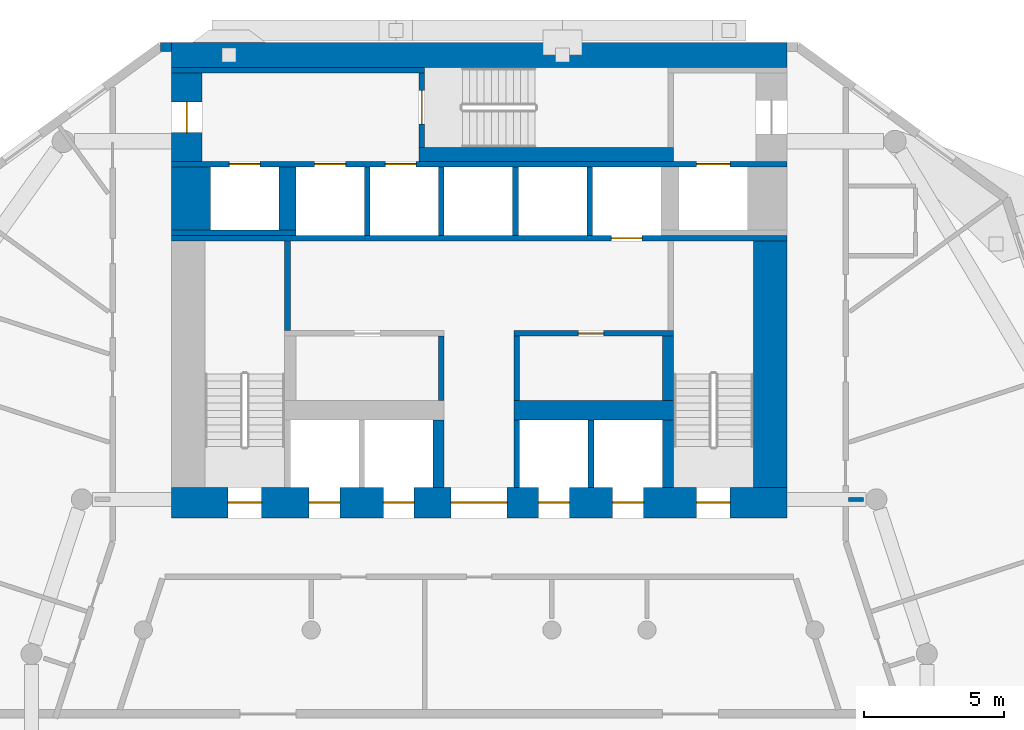
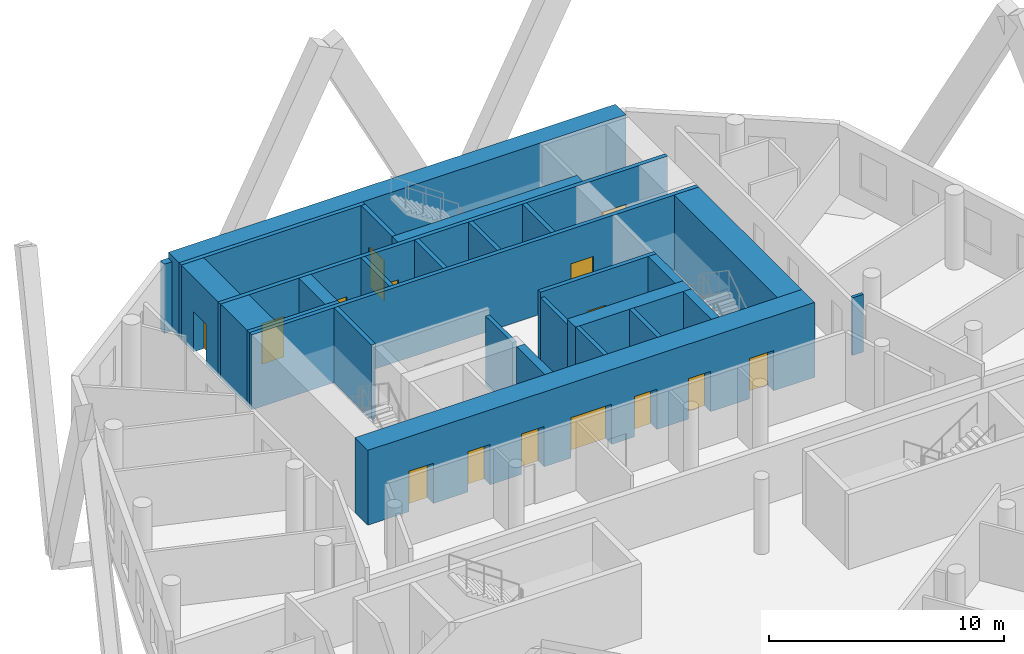
# One storey, part 6 of 10: 28 walls, 15 doors, 15 openings.
"""IFC4 building model written with IfcOpenShell, lengths in metres."""

import ifcopenshell
import ifcopenshell.guid

model = None  # the IFC model being written
_history = None  # IfcOwnerHistory: only IFC2X3 demands one
_inside = {}  # id of a spatial element -> (the spatial element, [elements in it])
_under = {}  # id of a project, library or spatial element -> (it, [spatial elements below it])
_declared = {}  # id of a project -> (the project, [libraries it declares])
_typed = {}  # id of a type object -> (the type object, [elements of that type])
_made_of = {}  # id of a material, layer set ... -> (it, [elements and type objects made of it])


def new_model(schema):
    """Start an empty IFC model of exactly this schema.

    Asked for "IFC4X3", IfcOpenShell would pick the latest addendum, in which some entities
    have other attributes; the version numbers below select the first issue.
    IFC2X3 requires an IfcOwnerHistory on every rooted entity: one is made here for all.
    """
    global model, _history
    if schema == "IFC4X3":
        model = ifcopenshell.file(schema_version=(4, 3, 0, 0))
    else:
        model = ifcopenshell.file(schema=schema)
    _inside.clear()
    _under.clear()
    _declared.clear()
    _typed.clear()
    _made_of.clear()
    _history = None
    if model.schema == "IFC2X3":
        org = make("IfcOrganization", Name="unknown")
        user = make(
            "IfcPersonAndOrganization",
            ThePerson=make("IfcPerson", FamilyName="unknown"),
            TheOrganization=org,
        )
        app = make(
            "IfcApplication",
            ApplicationDeveloper=org,
            Version="unknown",
            ApplicationFullName="unknown",
            ApplicationIdentifier="unknown",
        )
        _history = make(
            "IfcOwnerHistory",
            OwningUser=user,
            OwningApplication=app,
            ChangeAction="ADDED",
            CreationDate=0,
        )
    return model


def make(cls, **values):
    """One entity of the class cls with the attributes given. An attribute that is None is left unset."""
    return model.create_entity(
        cls, **{name: value for name, value in values.items() if value is not None}
    )


def rooted(cls, **values):
    """An entity with a GlobalId (a new one), such as an element, a storey or a relation."""
    return make(cls, GlobalId=ifcopenshell.guid.new(), OwnerHistory=_history, **values)


def si_unit(unit_type, name, prefix=None):
    """IfcSIUnit, for example si_unit("LENGTHUNIT", "METRE", prefix="MILLI")."""
    return make("IfcSIUnit", UnitType=unit_type, Prefix=prefix, Name=name)


def assignment(units):
    """IfcUnitAssignment: the units of a project."""
    return None if units is None else make("IfcUnitAssignment", Units=units)


def point(xyz):
    """IfcCartesianPoint."""
    return None if xyz is None else make("IfcCartesianPoint", Coordinates=xyz)


def direction(xyz):
    """IfcDirection."""
    return None if xyz is None else make("IfcDirection", DirectionRatios=xyz)


def frame(location, z_axis=None, x_axis=None):
    """IfcAxis2Placement3D, a coordinate frame: its origin and axes. An axis left out is left unset."""
    return make(
        "IfcAxis2Placement3D",
        Location=point(location),
        Axis=direction(z_axis),
        RefDirection=direction(x_axis),
    )


def frame_2d(location, x_axis=None):
    """IfcAxis2Placement2D, a coordinate frame in the plane: its origin and x axis."""
    return make(
        "IfcAxis2Placement2D", Location=point(location), RefDirection=direction(x_axis)
    )


def origin():
    """The frame at (0, 0, 0) with its axes left unset."""
    return frame((0.0, 0.0, 0.0))


def place(relative_to, where):
    """IfcLocalPlacement: puts the frame where relative to a parent placement (None: the world)."""
    return make(
        "IfcLocalPlacement", PlacementRelTo=relative_to, RelativePlacement=where
    )


def context(
    kind, dimensions, precision=None, world=None, true_north=None, identifier=None
):
    """IfcGeometricRepresentationContext, for example the 3D "Model" context."""
    return make(
        "IfcGeometricRepresentationContext",
        ContextIdentifier=identifier,
        ContextType=kind,
        CoordinateSpaceDimension=dimensions,
        Precision=precision,
        WorldCoordinateSystem=world,
        TrueNorth=true_north,
    )


def subcontext(parent, identifier, kind, view, scale=None):
    """IfcGeometricRepresentationSubContext, for example "Body" below "Model"."""
    return make(
        "IfcGeometricRepresentationSubContext",
        ContextIdentifier=identifier,
        ContextType=kind,
        ParentContext=parent,
        TargetScale=scale,
        TargetView=view,
    )


def project(units=None, contexts=None):
    """IfcProject with its units and contexts."""
    return rooted(
        "IfcProject",
        Name="project",
        RepresentationContexts=contexts,
        UnitsInContext=assignment(units),
    )


def spatial(cls, under=None, at=None, **own):
    """A site, building, storey or space (cls), placed at a placement, below another one or the project."""
    s = rooted(cls, ObjectPlacement=at, **own)
    if under is not None:
        _under.setdefault(under.id(), (under, []))[1].append(s)
    return s


def profile(cls, at=None, kind="AREA", **sizes):
    """A parametric profile (cls). Its sizes go by their IFC names, for example OverallWidth=200.0."""
    return make(cls, ProfileType=kind, Position=at, **sizes)


def rectangle(**sizes):
    """IfcRectangleProfileDef."""
    return profile("IfcRectangleProfileDef", **sizes)


def extrude(swept, where, along, depth):
    """IfcExtrudedAreaSolid: the profile swept, set in the frame where, extruded along a direction by depth."""
    return make(
        "IfcExtrudedAreaSolid",
        SweptArea=swept,
        Position=where,
        ExtrudedDirection=direction(along),
        Depth=depth,
    )


def shape(context_of_items, identifier, shape_type, items):
    """IfcShapeRepresentation: the items that make up one representation, for example the "Body"."""
    return make(
        "IfcShapeRepresentation",
        ContextOfItems=context_of_items,
        RepresentationIdentifier=identifier,
        RepresentationType=shape_type,
        Items=items,
    )


def material(Name=None, Category=None):
    """IfcMaterial."""
    return make("IfcMaterial", Name=Name, Category=Category)


def layer(
    of_material, thickness, ventilated=None, Name=None, Category=None, Priority=None
):
    """IfcMaterialLayer: one layer of a wall or slab, of a material (None: an air gap)."""
    return make(
        "IfcMaterialLayer",
        Material=of_material,
        LayerThickness=thickness,
        IsVentilated=ventilated,
        Name=Name,
        Category=Category,
        Priority=Priority,
    )


def layer_set(layers, Name=None):
    """IfcMaterialLayerSet."""
    return make("IfcMaterialLayerSet", MaterialLayers=layers, LayerSetName=Name)


def made_of(thing, what):
    """Note that an element or type object is made of a material, layer set ...; save() writes the relation."""
    if what is not None:
        _made_of.setdefault(what.id(), (what, []))[1].append(thing)
    return thing


def type_object(cls, material=None, **own):
    """A type object (cls), such as IfcWallType, which elements share."""
    return made_of(rooted(cls, **own), material)


def element(
    cls,
    number,
    at=None,
    inside=None,
    cuts=None,
    type_object=None,
    material=None,
    context=None,
    identifier="Body",
    shape_type=None,
    held_by="IfcProductDefinitionShape",
    body=None,
    shapes=None,
    **own,
):
    """One element of the class cls, such as IfcWall. Its Tag is "e" and its number.

    at: its placement. inside: the storey or other place that contains it. cuts: it is an
    opening in that element (IfcRelVoidsElement). A single representation is given by context,
    identifier, shape_type and body (its items); several are given by shapes. held_by: the class
    of the entity that holds the representations. save() writes the other relations.
    """
    e = rooted(cls, Tag="e%d" % number, ObjectPlacement=at, **own)
    if body is not None:
        shapes = [shape(context, identifier, shape_type, body)]
    if shapes is not None:
        e.Representation = make(held_by, Representations=shapes)
    if inside is not None:
        _inside.setdefault(inside.id(), (inside, []))[1].append(e)
    if cuts is not None:
        rooted(
            "IfcRelVoidsElement", RelatingBuildingElement=cuts, RelatedOpeningElement=e
        )
    if type_object is not None:
        _typed.setdefault(type_object.id(), (type_object, []))[1].append(e)
    return made_of(e, material)


def fill(opening, filler):
    """IfcRelFillsElement: the door or window that sits in an opening."""
    return rooted(
        "IfcRelFillsElement",
        RelatingOpeningElement=opening,
        RelatedBuildingElement=filler,
    )


def aggregate(whole, parts):
    """IfcRelAggregates: a whole, such as a stair, and the parts it consists of."""
    return rooted("IfcRelAggregates", RelatingObject=whole, RelatedObjects=parts)


def save(model, path):
    """Write the relations noted so far, then the file.

    IfcRelAggregates (storeys below a building ...), IfcRelContainedInSpatialStructure (elements
    in a storey), IfcRelDefinesByType, IfcRelAssociatesMaterial and IfcRelDeclares: one each for
    every whole, place, type object, material and project.
    """
    for whole, parts in _under.values():
        aggregate(whole, parts)
    for where, things in _inside.values():
        rooted(
            "IfcRelContainedInSpatialStructure",
            RelatedElements=things,
            RelatingStructure=where,
        )
    for kind, things in _typed.values():
        rooted("IfcRelDefinesByType", RelatedObjects=things, RelatingType=kind)
    for what, things in _made_of.values():
        rooted("IfcRelAssociatesMaterial", RelatedObjects=things, RelatingMaterial=what)
    for by, libraries in _declared.values():
        rooted("IfcRelDeclares", RelatingContext=by, RelatedDefinitions=libraries)
    model.write(path)


model = new_model("IFC4")

# Units and contexts
model_context = context("Model", 3, precision=1e-05, world=origin(), true_north=direction((0.0, 1.0)))
body_context = subcontext(model_context, "Body", "Model", "MODEL_VIEW")
ifc_project = project(units=[si_unit("LENGTHUNIT", "METRE"), si_unit("AREAUNIT", "SQUARE_METRE"), si_unit("VOLUMEUNIT", "CUBIC_METRE"), si_unit("PLANEANGLEUNIT", "RADIAN"), si_unit("MASSUNIT", "GRAM", prefix="KILO")], contexts=[model_context])

# Site, building, storey
site_placement = place(None, origin())
site = spatial("IfcSite", under=ifc_project, at=site_placement, CompositionType="ELEMENT")
building_placement = place(site_placement, origin())
building = spatial("IfcBuilding", under=site, at=building_placement, Name="White Candle Pilgrim Tower", CompositionType="ELEMENT")
storey_placement = place(building_placement, frame((0.0, 0.0, 102.5)))
storey = spatial("IfcBuildingStorey", under=building, at=storey_placement, Name="L22", CompositionType="ELEMENT", Elevation=102.5)

# Wall, opening, door
ifc_material_1 = material(Name="Concrete C60/75", Category="concrete")
ifc_layer_1 = layer(ifc_material_1, 1.10009765625)
ifc_layer_set_1 = layer_set([ifc_layer_1], Name="Core wall 1100 mm Concrete C60/75")
wall_type_1 = type_object("IfcWallType", Name="Core wall 1100 mm Concrete C60/75", PredefinedType="SHEAR", material=ifc_layer_set_1)
wall_1_placement = place(storey_placement, frame((59.550048828125, 83.75, 0.0), z_axis=(0.0, 0.0, 1.0), x_axis=(0.0, 1.0, 0.0)))
wall_1 = element("IfcWall", 1, at=wall_1_placement, inside=storey, type_object=wall_type_1, Name="WL-L22-C42", PredefinedType="SHEAR", context=body_context, shape_type="SweptSolid", body=[
    extrude(rectangle(XDim=3.14990234375, YDim=1.10009765625, at=frame_2d((1.574951171875, 0.0))), origin(), (0.0, 0.0, 1.0), 3.89990234375),
])
opening_1_placement = place(wall_1_placement, frame((1.02490234375, 0.0, 0.0)))
opening_1 = element("IfcOpeningElement", 2, at=opening_1_placement, cuts=wall_1, Name="Opening T07-005", PredefinedType="OPENING", context=body_context, shape_type="SweptSolid", body=[
    extrude(rectangle(XDim=1.10009765625, YDim=2.10009765625, at=frame_2d((0.550048828125, 1.050048828125))), frame((0.0, 0.56005859375, 0.0), z_axis=(0.0, -1.0, 0.0), x_axis=(1.0, 0.0, 0.0)), (0.0, 0.0, 1.0), 1.1201171875),
])
ifc_material_2 = material(Name="Steel door leaf", Category="steel")
door_type_1 = type_object("IfcDoorType", Name="Fire door 1100 x 2100 EI 60", OperationType="NOTDEFINED", PredefinedType="DOOR", material=ifc_material_2)
door_1_placement = place(opening_1_placement, origin())
door_1 = element("IfcDoor", 3, at=door_1_placement, inside=storey, type_object=door_type_1, Name="Door T07-005", OperationType="SINGLE_SWING_LEFT", OverallHeight=2.10009765625, OverallWidth=1.10009765625, PredefinedType="DOOR", context=body_context, shape_type="SweptSolid", body=[
    extrude(rectangle(XDim=1.10009765625, YDim=2.10009765625, at=frame_2d((0.550048828125, 1.050048828125))), frame((0.0, 0.02490234375, 0.0), z_axis=(0.0, -1.0, 0.0), x_axis=(1.0, 0.0, 0.0)), (0.0, 0.0, 1.0), 0.050048828125),
])
fill(opening_1, door_1)

# Walls
ifc_layer_2 = layer(ifc_material_1, 1.39990234375)
ifc_layer_set_2 = layer_set([ifc_layer_2], Name="Core wall 1400 mm Concrete C60/75")
wall_type_2 = type_object("IfcWallType", Name="Core wall 1400 mm Concrete C60/75", PredefinedType="SHEAR", material=ifc_layer_set_2)
wall_2_placement = place(storey_placement, frame((59.699951171875, 81.300048828125, 0.0), z_axis=(0.0, 0.0, 1.0), x_axis=(0.0, 1.0, 0.0)))
element("IfcWall", 4, at=wall_2_placement, inside=storey, type_object=wall_type_2, Name="WL-L22-C37", PredefinedType="SHEAR", context=body_context, shape_type="SweptSolid", body=[
    extrude(rectangle(XDim=2.25, YDim=1.39990234375, at=frame_2d((1.125, 0.0))), origin(), (0.0, 0.0, 1.0), 3.89990234375),
])
ifc_layer_3 = layer(ifc_material_1, 0.199951171875)
ifc_layer_set_3 = layer_set([ifc_layer_3], Name="Core wall 200 mm Concrete C60/75")
wall_type_3 = type_object("IfcWallType", Name="Core wall 200 mm Concrete C60/75", PredefinedType="SHEAR", material=ifc_layer_set_3)
wall_3_placement = place(storey_placement, frame((59.0, 81.199951171875, 0.0), z_axis=(0.0, 0.0, 1.0), x_axis=(1.0, 0.0, 0.0)))
element("IfcWall", 5, at=wall_3_placement, inside=storey, type_object=wall_type_3, Name="WL-L22-C31", PredefinedType="SHEAR", context=body_context, shape_type="SweptSolid", body=[
    extrude(rectangle(XDim=4.449951171875, YDim=0.199951171875, at=frame_2d((2.22509765625, 0.0))), origin(), (0.0, 0.0, 1.0), 3.89990234375),
])

# Wall, openings, doors
wall_4_placement = place(storey_placement, frame((59.0, 83.64990234375, 0.0), z_axis=(0.0, 0.0, 1.0), x_axis=(1.0, 0.0, 0.0)))
wall_4 = element("IfcWall", 6, at=wall_4_placement, inside=storey, type_object=wall_type_3, Name="WL-L22-C41", PredefinedType="SHEAR", context=body_context, shape_type="SweptSolid", body=[
    extrude(rectangle(XDim=22.0, YDim=0.199951171875, at=frame_2d((11.0, 0.0))), origin(), (0.0, 0.0, 1.0), 3.89990234375),
])
opening_2_placement = place(wall_4_placement, frame((5.125, 0.0, 0.0)))
opening_2 = element("IfcOpeningElement", 7, at=opening_2_placement, cuts=wall_4, Name="Opening T07-011", PredefinedType="OPENING", context=body_context, shape_type="SweptSolid", body=[
    extrude(rectangle(XDim=1.10009765625, YDim=2.10009765625, at=frame_2d((0.550048828125, 1.050048828125))), frame((0.0, 0.10986328125, 0.0), z_axis=(0.0, -1.0, 0.0), x_axis=(1.0, 0.0, 0.0)), (0.0, 0.0, 1.0), 0.219970703125),
])
opening_3_placement = place(wall_4_placement, frame((7.64990234375, 0.0, 0.0)))
opening_3 = element("IfcOpeningElement", 8, at=opening_3_placement, cuts=wall_4, Name="Opening T07-012", PredefinedType="OPENING", context=body_context, shape_type="SweptSolid", body=[
    extrude(rectangle(XDim=1.10009765625, YDim=2.10009765625, at=frame_2d((0.550048828125, 1.050048828125))), frame((0.0, 0.10986328125, 0.0), z_axis=(0.0, -1.0, 0.0), x_axis=(1.0, 0.0, 0.0)), (0.0, 0.0, 1.0), 0.219970703125),
])
opening_4_placement = place(wall_4_placement, frame((18.77490234375, 0.0, 0.0)))
opening_4 = element("IfcOpeningElement", 9, at=opening_4_placement, cuts=wall_4, Name="Opening T07-018", PredefinedType="OPENING", context=body_context, shape_type="SweptSolid", body=[
    extrude(rectangle(XDim=1.199951171875, YDim=2.10009765625, at=frame_2d((0.60009765625, 1.050048828125))), frame((0.0, 0.10986328125, 0.0), z_axis=(0.0, -1.0, 0.0), x_axis=(1.0, 0.0, 0.0)), (0.0, 0.0, 1.0), 0.219970703125),
])
opening_5_placement = place(wall_4_placement, frame((2.074951171875, 0.0, 0.0)))
opening_5 = element("IfcOpeningElement", 10, at=opening_5_placement, cuts=wall_4, Name="Opening T07-019", PredefinedType="OPENING", context=body_context, shape_type="SweptSolid", body=[
    extrude(rectangle(XDim=1.10009765625, YDim=2.10009765625, at=frame_2d((0.550048828125, 1.050048828125))), frame((0.0, 0.10986328125, 0.0), z_axis=(0.0, -1.0, 0.0), x_axis=(1.0, 0.0, 0.0)), (0.0, 0.0, 1.0), 0.219970703125),
])
ifc_material_3 = material(Name="Stainless steel", Category="steel")
door_type_2 = type_object("IfcDoorType", Name="Lift landing door 1100 x 2100 EI 60", OperationType="DOUBLE_DOOR_SLIDING", PredefinedType="DOOR", material=ifc_material_3)
door_2_placement = place(opening_2_placement, origin())
door_2 = element("IfcDoor", 11, at=door_2_placement, inside=storey, type_object=door_type_2, Name="Door T07-011", OperationType="DOUBLE_DOOR_SLIDING", OverallHeight=2.10009765625, OverallWidth=1.10009765625, PredefinedType="DOOR", context=body_context, shape_type="SweptSolid", body=[
    extrude(rectangle(XDim=1.10009765625, YDim=2.10009765625, at=frame_2d((0.550048828125, 1.050048828125))), frame((0.0, 0.02490234375, 0.0), z_axis=(0.0, -1.0, 0.0), x_axis=(1.0, 0.0, 0.0)), (0.0, 0.0, 1.0), 0.050048828125),
])
fill(opening_2, door_2)
door_3_placement = place(opening_3_placement, origin())
door_3 = element("IfcDoor", 12, at=door_3_placement, inside=storey, type_object=door_type_2, Name="Door T07-012", OperationType="DOUBLE_DOOR_SLIDING", OverallHeight=2.10009765625, OverallWidth=1.10009765625, PredefinedType="DOOR", context=body_context, shape_type="SweptSolid", body=[
    extrude(rectangle(XDim=1.10009765625, YDim=2.10009765625, at=frame_2d((0.550048828125, 1.050048828125))), frame((0.0, 0.02490234375, 0.0), z_axis=(0.0, -1.0, 0.0), x_axis=(1.0, 0.0, 0.0)), (0.0, 0.0, 1.0), 0.050048828125),
])
fill(opening_3, door_3)
door_4_placement = place(opening_5_placement, origin())
door_4 = element("IfcDoor", 13, at=door_4_placement, inside=storey, type_object=door_type_2, Name="Door T07-019", OperationType="DOUBLE_DOOR_SLIDING", OverallHeight=2.10009765625, OverallWidth=1.10009765625, PredefinedType="DOOR", context=body_context, shape_type="SweptSolid", body=[
    extrude(rectangle(XDim=1.10009765625, YDim=2.10009765625, at=frame_2d((0.550048828125, 1.050048828125))), frame((0.0, 0.02490234375, 0.0), z_axis=(0.0, -1.0, 0.0), x_axis=(1.0, 0.0, 0.0)), (0.0, 0.0, 1.0), 0.050048828125),
])
fill(opening_5, door_4)
door_type_3 = type_object("IfcDoorType", Name="Lift landing door 1200 x 2100 E 60", OperationType="DOUBLE_DOOR_SLIDING", PredefinedType="DOOR", material=ifc_material_3)
door_5_placement = place(opening_4_placement, origin())
door_5 = element("IfcDoor", 14, at=door_5_placement, inside=storey, type_object=door_type_3, Name="Door T07-018", OperationType="DOUBLE_DOOR_SLIDING", OverallHeight=2.10009765625, OverallWidth=1.199951171875, PredefinedType="DOOR", context=body_context, shape_type="SweptSolid", body=[
    extrude(rectangle(XDim=1.199951171875, YDim=2.10009765625, at=frame_2d((0.60009765625, 1.050048828125))), frame((0.0, 0.02490234375, 0.0), z_axis=(0.0, -1.0, 0.0), x_axis=(1.0, 0.0, 0.0)), (0.0, 0.0, 1.0), 0.050048828125),
])
fill(opening_4, door_5)

# Walls
ifc_material_4 = material(Name="Precast concrete C40/50", Category="concrete")
ifc_layer_4 = layer(ifc_material_4, 0.320068359375)
ifc_layer_set_4 = layer_set([ifc_layer_4], Name="Facade wall EW1 precast concrete C40/50 pier wall with timber-lined reveals")
wall_type_4 = type_object("IfcWallType", Name="Facade wall EW1 precast concrete C40/50 pier wall with timber-lined reveals", PredefinedType="SOLIDWALL", material=ifc_layer_set_4)
wall_5_placement = place(storey_placement, frame((59.0, 87.840087890625, 0.0), z_axis=(0.0, 0.0, 1.0), x_axis=(-1.0, 0.0, 0.0)))
element("IfcWall", 15, at=wall_5_placement, inside=storey, type_object=wall_type_4, Name="Facade wall L22 N", PredefinedType="SOLIDWALL", context=body_context, shape_type="SweptSolid", body=[
    extrude(rectangle(XDim=0.385009765625, YDim=0.320068359375, at=frame_2d((0.1923828125, 0.0))), origin(), (0.0, 0.0, 1.0), 3.60009765625),
])
ifc_material_5 = material(Name="Gypsum board on steel studs", Category="steel")
ifc_layer_5 = layer(ifc_material_5, 0.199951171875)
ifc_layer_set_5 = layer_set([ifc_layer_5], Name="Lobby wall 200 mm EI 60")
wall_type_5 = type_object("IfcWallType", Name="Lobby wall 200 mm EI 60", PredefinedType="PARTITIONING", material=ifc_layer_set_5)
for number, where, z_axis, x_axis, name in (
    (16, (68.64990234375, 75.199951171875, 0.0), (0.0, 0.0, 1.0), (0.0, 1.0, 0.0), "WL-L22-C23"),
    (17, (71.35009765625, 75.199951171875, 0.0), (0.0, 0.0, 1.0), (0.0, 1.0, 0.0), "WL-L22-C24"),
):
    element("IfcWall", number, at=place(storey_placement, frame(where, z_axis=z_axis, x_axis=x_axis)), inside=storey, type_object=wall_type_5, Name=name, PredefinedType="PARTITIONING", context=body_context, shape_type="SweptSolid", body=[
        extrude(rectangle(XDim=2.300048828125, YDim=0.199951171875, at=frame_2d((1.14990234375, 0.0))), origin(), (0.0, 0.0, 1.0), 3.60009765625),
    ])
ifc_layer_6 = layer(ifc_material_5, 0.14990234375)
ifc_layer_set_6 = layer_set([ifc_layer_6], Name="Partition 150 mm EI 60")
wall_type_6 = type_object("IfcWallType", Name="Partition 150 mm EI 60", PredefinedType="PARTITIONING", material=ifc_layer_set_6)
wall_6_placement = place(storey_placement, frame((83.735107421875, 71.667724609375, 0.0), z_axis=(0.0, 0.0, 1.0), x_axis=(-1.0, 0.0, 0.0)))
element("IfcWall", 18, at=wall_6_placement, inside=storey, type_object=wall_type_6, Name="WL-L22-P050", PredefinedType="PARTITIONING", context=body_context, shape_type="SweptSolid", body=[
    extrude(rectangle(XDim=0.53515625, YDim=0.14990234375, at=frame_2d((0.267578125, 0.0))), origin(), (0.0, 0.0, 1.0), 3.0),
])
ifc_layer_7 = layer(ifc_material_1, 0.199951171875)
ifc_layer_set_7 = layer_set([ifc_layer_7], Name="Shaft wall 200 mm Concrete C60/75")
wall_type_7 = type_object("IfcWallType", Name="Shaft wall 200 mm Concrete C60/75", PredefinedType="SHEAR", material=ifc_layer_set_7)
for number, where, z_axis, x_axis, name in (
    (19, (71.35009765625, 72.10009765625, 0.0), (0.0, 0.0, 1.0), (0.0, 1.0, 0.0), "WL-L22-C16"),
    (20, (74.0, 72.10009765625, 0.0), (0.0, 0.0, 1.0), (0.0, 1.0, 0.0), "WL-L22-C17"),
):
    element("IfcWall", number, at=place(storey_placement, frame(where, z_axis=z_axis, x_axis=x_axis)), inside=storey, type_object=wall_type_7, Name=name, PredefinedType="SHEAR", context=body_context, shape_type="SweptSolid", body=[
        extrude(rectangle(XDim=2.39990234375, YDim=0.199951171875, at=frame_2d((1.199951171875, 0.0))), origin(), (0.0, 0.0, 1.0), 3.89990234375),
    ])
for number, where, z_axis, x_axis, name in (
    (21, (66.0, 81.10009765625, 0.0), (0.0, 0.0, 1.0), (0.0, 1.0, 0.0), "WL-L22-C32"),
    (22, (68.64990234375, 81.10009765625, 0.0), (0.0, 0.0, 1.0), (0.0, 1.0, 0.0), "WL-L22-C33"),
    (23, (71.300048828125, 81.10009765625, 0.0), (0.0, 0.0, 1.0), (0.0, 1.0, 0.0), "WL-L22-C34"),
    (24, (73.949951171875, 81.10009765625, 0.0), (0.0, 0.0, 1.0), (0.0, 1.0, 0.0), "WL-L22-C35"),
):
    element("IfcWall", number, at=place(storey_placement, frame(where, z_axis=z_axis, x_axis=x_axis)), inside=storey, type_object=wall_type_7, Name=name, PredefinedType="SHEAR", context=body_context, shape_type="SweptSolid", body=[
        extrude(rectangle(XDim=2.449951171875, YDim=0.199951171875, at=frame_2d((1.22509765625, 0.0))), origin(), (0.0, 0.0, 1.0), 3.89990234375),
    ])
ifc_layer_8 = layer(ifc_material_1, 0.39990234375)
ifc_layer_set_8 = layer_set([ifc_layer_8], Name="Shaft wall 400 mm Concrete C60/75")
wall_type_8 = type_object("IfcWallType", Name="Shaft wall 400 mm Concrete C60/75", PredefinedType="SHEAR", material=ifc_layer_set_8)
wall_7_placement = place(storey_placement, frame((68.550048828125, 72.10009765625, 0.0), z_axis=(0.0, 0.0, 1.0), x_axis=(0.0, 1.0, 0.0)))
element("IfcWall", 25, at=wall_7_placement, inside=storey, type_object=wall_type_8, Name="WL-L22-C15", PredefinedType="SHEAR", context=body_context, shape_type="SweptSolid", body=[
    extrude(rectangle(XDim=2.39990234375, YDim=0.39990234375, at=frame_2d((1.199951171875, 0.0))), origin(), (0.0, 0.0, 1.0), 3.89990234375),
])
ifc_layer_9 = layer(ifc_material_1, 0.60009765625)
ifc_layer_set_9 = layer_set([ifc_layer_9], Name="Shaft wall 600 mm Concrete C60/75")
wall_type_9 = type_object("IfcWallType", Name="Shaft wall 600 mm Concrete C60/75", PredefinedType="SHEAR", material=ifc_layer_set_9)
wall_8_placement = place(storey_placement, frame((63.14990234375, 81.300048828125, 0.0), z_axis=(0.0, 0.0, 1.0), x_axis=(0.0, 1.0, 0.0)))
element("IfcWall", 26, at=wall_8_placement, inside=storey, type_object=wall_type_9, Name="WL-L22-C38", PredefinedType="SHEAR", context=body_context, shape_type="SweptSolid", body=[
    extrude(rectangle(XDim=2.25, YDim=0.60009765625, at=frame_2d((1.125, 0.0))), origin(), (0.0, 0.0, 1.0), 3.89990234375),
])

# Wall, openings, doors
ifc_layer_10 = layer(ifc_material_1, 1.10009765625)
ifc_layer_set_10 = layer_set([ifc_layer_10], Name="Stair shaft wall 1100 mm Concrete C60/75")
wall_type_10 = type_object("IfcWallType", Name="Stair shaft wall 1100 mm Concrete C60/75", PredefinedType="SHEAR", material=ifc_layer_set_10)
wall_9_placement = place(storey_placement, frame((59.0, 71.550048828125, 0.0), z_axis=(0.0, 0.0, 1.0), x_axis=(1.0, 0.0, 0.0)))
wall_9 = element("IfcWall", 27, at=wall_9_placement, inside=storey, type_object=wall_type_10, Name="WL-L22-C11", PredefinedType="SHEAR", context=body_context, shape_type="SweptSolid", body=[
    extrude(rectangle(XDim=22.0, YDim=1.10009765625, at=frame_2d((11.0, 0.0))), origin(), (0.0, 0.0, 1.0), 3.89990234375),
])
opening_6_placement = place(wall_9_placement, frame((2.02490234375, 0.0, 0.0)))
opening_6 = element("IfcOpeningElement", 28, at=opening_6_placement, cuts=wall_9, Name="Opening T07-001", PredefinedType="OPENING", context=body_context, shape_type="SweptSolid", body=[
    extrude(rectangle(XDim=1.199951171875, YDim=2.10009765625, at=frame_2d((0.60009765625, 1.050048828125))), frame((0.0, 0.56005859375, 0.0), z_axis=(0.0, -1.0, 0.0), x_axis=(1.0, 0.0, 0.0)), (0.0, 0.0, 1.0), 1.1201171875),
])
opening_7_placement = place(wall_9_placement, frame((18.77490234375, 0.0, 0.0)))
opening_7 = element("IfcOpeningElement", 29, at=opening_7_placement, cuts=wall_9, Name="Opening T07-002", PredefinedType="OPENING", context=body_context, shape_type="SweptSolid", body=[
    extrude(rectangle(XDim=1.199951171875, YDim=2.10009765625, at=frame_2d((0.60009765625, 1.050048828125))), frame((0.0, 0.56005859375, 0.0), z_axis=(0.0, -1.0, 0.0), x_axis=(1.0, 0.0, 0.0)), (0.0, 0.0, 1.0), 1.1201171875),
])
opening_8_placement = place(wall_9_placement, frame((10.0, 0.0, 0.0)))
opening_8 = element("IfcOpeningElement", 30, at=opening_8_placement, cuts=wall_9, Name="Opening T07-004", PredefinedType="OPENING", context=body_context, shape_type="SweptSolid", body=[
    extrude(rectangle(XDim=2.0, YDim=2.10009765625, at=frame_2d((1.0, 1.050048828125))), frame((0.0, 0.56005859375, 0.0), z_axis=(0.0, -1.0, 0.0), x_axis=(1.0, 0.0, 0.0)), (0.0, 0.0, 1.0), 1.1201171875),
])
opening_9_placement = place(wall_9_placement, frame((4.925048828125, 0.0, 0.0)))
opening_9 = element("IfcOpeningElement", 31, at=opening_9_placement, cuts=wall_9, Name="Opening T07-014", PredefinedType="OPENING", context=body_context, shape_type="SweptSolid", body=[
    extrude(rectangle(XDim=1.10009765625, YDim=2.10009765625, at=frame_2d((0.550048828125, 1.050048828125))), frame((0.0, 0.56005859375, 0.0), z_axis=(0.0, -1.0, 0.0), x_axis=(1.0, 0.0, 0.0)), (0.0, 0.0, 1.0), 1.1201171875),
])
opening_10_placement = place(wall_9_placement, frame((7.574951171875, 0.0, 0.0)))
opening_10 = element("IfcOpeningElement", 32, at=opening_10_placement, cuts=wall_9, Name="Opening T07-015", PredefinedType="OPENING", context=body_context, shape_type="SweptSolid", body=[
    extrude(rectangle(XDim=1.10009765625, YDim=2.10009765625, at=frame_2d((0.550048828125, 1.050048828125))), frame((0.0, 0.56005859375, 0.0), z_axis=(0.0, -1.0, 0.0), x_axis=(1.0, 0.0, 0.0)), (0.0, 0.0, 1.0), 1.1201171875),
])
opening_11_placement = place(wall_9_placement, frame((13.125, 0.0, 0.0)))
opening_11 = element("IfcOpeningElement", 33, at=opening_11_placement, cuts=wall_9, Name="Opening T07-016", PredefinedType="OPENING", context=body_context, shape_type="SweptSolid", body=[
    extrude(rectangle(XDim=1.10009765625, YDim=2.10009765625, at=frame_2d((0.550048828125, 1.050048828125))), frame((0.0, 0.56005859375, 0.0), z_axis=(0.0, -1.0, 0.0), x_axis=(1.0, 0.0, 0.0)), (0.0, 0.0, 1.0), 1.1201171875),
])
opening_12_placement = place(wall_9_placement, frame((15.77490234375, 0.0, 0.0)))
opening_12 = element("IfcOpeningElement", 34, at=opening_12_placement, cuts=wall_9, Name="Opening T07-017", PredefinedType="OPENING", context=body_context, shape_type="SweptSolid", body=[
    extrude(rectangle(XDim=1.10009765625, YDim=2.10009765625, at=frame_2d((0.550048828125, 1.050048828125))), frame((0.0, 0.56005859375, 0.0), z_axis=(0.0, -1.0, 0.0), x_axis=(1.0, 0.0, 0.0)), (0.0, 0.0, 1.0), 1.1201171875),
])
door_type_4 = type_object("IfcDoorType", Name="Fire door 1200 x 2100 EI 60", OperationType="NOTDEFINED", PredefinedType="DOOR", material=ifc_material_2)
door_6_placement = place(opening_6_placement, frame((1.199951171875, 0.0, 0.0), z_axis=(0.0, 0.0, 1.0), x_axis=(-1.0, 0.0, 0.0)))
door_6 = element("IfcDoor", 35, at=door_6_placement, inside=storey, type_object=door_type_4, Name="Door T07-001", OperationType="SINGLE_SWING_RIGHT", OverallHeight=2.10009765625, OverallWidth=1.199951171875, PredefinedType="DOOR", context=body_context, shape_type="SweptSolid", body=[
    extrude(rectangle(XDim=1.199951171875, YDim=2.10009765625, at=frame_2d((0.60009765625, 1.050048828125))), frame((0.0, 0.02490234375, 0.0), z_axis=(0.0, -1.0, 0.0), x_axis=(1.0, 0.0, 0.0)), (0.0, 0.0, 1.0), 0.050048828125),
])
fill(opening_6, door_6)
door_7_placement = place(opening_7_placement, frame((1.199951171875, 0.0, 0.0), z_axis=(0.0, 0.0, 1.0), x_axis=(-1.0, 0.0, 0.0)))
door_7 = element("IfcDoor", 36, at=door_7_placement, inside=storey, type_object=door_type_4, Name="Door T07-002", OperationType="SINGLE_SWING_LEFT", OverallHeight=2.10009765625, OverallWidth=1.199951171875, PredefinedType="DOOR", context=body_context, shape_type="SweptSolid", body=[
    extrude(rectangle(XDim=1.199951171875, YDim=2.10009765625, at=frame_2d((0.60009765625, 1.050048828125))), frame((0.0, 0.02490234375, 0.0), z_axis=(0.0, -1.0, 0.0), x_axis=(1.0, 0.0, 0.0)), (0.0, 0.0, 1.0), 0.050048828125),
])
fill(opening_7, door_7)
door_type_5 = type_object("IfcDoorType", Name="Fire door 2000 x 2100 EI 60", OperationType="NOTDEFINED", PredefinedType="DOOR", material=ifc_material_2)
door_8_placement = place(opening_8_placement, frame((2.0, 0.0, 0.0), z_axis=(0.0, 0.0, 1.0), x_axis=(-1.0, 0.0, 0.0)))
door_8 = element("IfcDoor", 37, at=door_8_placement, inside=storey, type_object=door_type_5, Name="Door T07-004", OperationType="DOUBLE_DOOR_SINGLE_SWING", OverallHeight=2.10009765625, OverallWidth=2.0, PredefinedType="DOOR", context=body_context, shape_type="SweptSolid", body=[
    extrude(rectangle(XDim=2.0, YDim=2.10009765625, at=frame_2d((1.0, 1.050048828125))), frame((0.0, 0.02490234375, 0.0), z_axis=(0.0, -1.0, 0.0), x_axis=(1.0, 0.0, 0.0)), (0.0, 0.0, 1.0), 0.050048828125),
])
fill(opening_8, door_8)
door_type_6 = type_object("IfcDoorType", Name="Lift landing door 1100 x 2100 E 60", OperationType="DOUBLE_DOOR_SLIDING", PredefinedType="DOOR", material=ifc_material_3)
door_9_placement = place(opening_9_placement, origin())
door_9 = element("IfcDoor", 38, at=door_9_placement, inside=storey, type_object=door_type_6, Name="Door T07-014", OperationType="DOUBLE_DOOR_SLIDING", OverallHeight=2.10009765625, OverallWidth=1.10009765625, PredefinedType="DOOR", context=body_context, shape_type="SweptSolid", body=[
    extrude(rectangle(XDim=1.10009765625, YDim=2.10009765625, at=frame_2d((0.550048828125, 1.050048828125))), frame((0.0, 0.02490234375, 0.0), z_axis=(0.0, -1.0, 0.0), x_axis=(1.0, 0.0, 0.0)), (0.0, 0.0, 1.0), 0.050048828125),
])
fill(opening_9, door_9)
door_10_placement = place(opening_10_placement, origin())
door_10 = element("IfcDoor", 39, at=door_10_placement, inside=storey, type_object=door_type_6, Name="Door T07-015", OperationType="DOUBLE_DOOR_SLIDING", OverallHeight=2.10009765625, OverallWidth=1.10009765625, PredefinedType="DOOR", context=body_context, shape_type="SweptSolid", body=[
    extrude(rectangle(XDim=1.10009765625, YDim=2.10009765625, at=frame_2d((0.550048828125, 1.050048828125))), frame((0.0, 0.02490234375, 0.0), z_axis=(0.0, -1.0, 0.0), x_axis=(1.0, 0.0, 0.0)), (0.0, 0.0, 1.0), 0.050048828125),
])
fill(opening_10, door_10)
door_11_placement = place(opening_11_placement, origin())
door_11 = element("IfcDoor", 40, at=door_11_placement, inside=storey, type_object=door_type_6, Name="Door T07-016", OperationType="DOUBLE_DOOR_SLIDING", OverallHeight=2.10009765625, OverallWidth=1.10009765625, PredefinedType="DOOR", context=body_context, shape_type="SweptSolid", body=[
    extrude(rectangle(XDim=1.10009765625, YDim=2.10009765625, at=frame_2d((0.550048828125, 1.050048828125))), frame((0.0, 0.02490234375, 0.0), z_axis=(0.0, -1.0, 0.0), x_axis=(1.0, 0.0, 0.0)), (0.0, 0.0, 1.0), 0.050048828125),
])
fill(opening_11, door_11)
door_12_placement = place(opening_12_placement, origin())
door_12 = element("IfcDoor", 41, at=door_12_placement, inside=storey, type_object=door_type_6, Name="Door T07-017", OperationType="DOUBLE_DOOR_SLIDING", OverallHeight=2.10009765625, OverallWidth=1.10009765625, PredefinedType="DOOR", context=body_context, shape_type="SweptSolid", body=[
    extrude(rectangle(XDim=1.10009765625, YDim=2.10009765625, at=frame_2d((0.550048828125, 1.050048828125))), frame((0.0, 0.02490234375, 0.0), z_axis=(0.0, -1.0, 0.0), x_axis=(1.0, 0.0, 0.0)), (0.0, 0.0, 1.0), 0.050048828125),
])
fill(opening_12, door_12)

# Wall
ifc_layer_11 = layer(ifc_material_1, 1.199951171875)
ifc_layer_set_11 = layer_set([ifc_layer_11], Name="Stair shaft wall 1200 mm Concrete C60/75")
wall_type_11 = type_object("IfcWallType", Name="Stair shaft wall 1200 mm Concrete C60/75", PredefinedType="SHEAR", material=ifc_layer_set_11)
wall_10_placement = place(storey_placement, frame((80.39990234375, 72.10009765625, 0.0), z_axis=(0.0, 0.0, 1.0), x_axis=(0.0, 1.0, 0.0)))
element("IfcWall", 42, at=wall_10_placement, inside=storey, type_object=wall_type_11, Name="WL-L22-C19", PredefinedType="SHEAR", context=body_context, shape_type="SweptSolid", body=[
    extrude(rectangle(XDim=8.7998046875, YDim=1.199951171875, at=frame_2d((4.39990234375, 0.0))), origin(), (0.0, 0.0, 1.0), 3.89990234375),
])

# Wall, opening, door
ifc_layer_12 = layer(ifc_material_1, 0.199951171875)
ifc_layer_set_12 = layer_set([ifc_layer_12], Name="Stair shaft wall 200 mm Concrete C60/75")
wall_type_12 = type_object("IfcWallType", Name="Stair shaft wall 200 mm Concrete C60/75", PredefinedType="SHEAR", material=ifc_layer_set_12)
wall_11_placement = place(storey_placement, frame((71.25, 77.60009765625, 0.0), z_axis=(0.0, 0.0, 1.0), x_axis=(1.0, 0.0, 0.0)))
wall_11 = element("IfcWall", 43, at=wall_11_placement, inside=storey, type_object=wall_type_12, Name="WL-L22-C27", PredefinedType="SHEAR", context=body_context, shape_type="SweptSolid", body=[
    extrude(rectangle(XDim=5.699951171875, YDim=0.199951171875, at=frame_2d((2.85009765625, 0.0))), origin(), (0.0, 0.0, 1.0), 3.89990234375),
])
opening_13_placement = place(wall_11_placement, frame((2.300048828125, 0.0, 0.0)))
opening_13 = element("IfcOpeningElement", 44, at=opening_13_placement, cuts=wall_11, Name="Opening T07-021", PredefinedType="OPENING", context=body_context, shape_type="SweptSolid", body=[
    extrude(rectangle(XDim=0.89990234375, YDim=2.10009765625, at=frame_2d((0.449951171875, 1.050048828125))), frame((0.0, 0.10986328125, 0.0), z_axis=(0.0, -1.0, 0.0), x_axis=(1.0, 0.0, 0.0)), (0.0, 0.0, 1.0), 0.219970703125),
])
door_type_7 = type_object("IfcDoorType", Name="Fire door 900 x 2100 EI 30", OperationType="NOTDEFINED", PredefinedType="DOOR", material=ifc_material_2)
door_13_placement = place(opening_13_placement, origin())
door_13 = element("IfcDoor", 45, at=door_13_placement, inside=storey, type_object=door_type_7, Name="Door T07-021", OperationType="SINGLE_SWING_LEFT", OverallHeight=2.10009765625, OverallWidth=0.89990234375, PredefinedType="DOOR", context=body_context, shape_type="SweptSolid", body=[
    extrude(rectangle(XDim=0.89990234375, YDim=2.10009765625, at=frame_2d((0.449951171875, 1.050048828125))), frame((0.0, 0.02490234375, 0.0), z_axis=(0.0, -1.0, 0.0), x_axis=(1.0, 0.0, 0.0)), (0.0, 0.0, 1.0), 0.050048828125),
])
fill(opening_13, door_13)

# Wall
wall_12_placement = place(storey_placement, frame((63.14990234375, 77.699951171875, 0.0), z_axis=(0.0, 0.0, 1.0), x_axis=(0.0, 1.0, 0.0)))
element("IfcWall", 46, at=wall_12_placement, inside=storey, type_object=wall_type_12, Name="WL-L22-C28", PredefinedType="SHEAR", context=body_context, shape_type="SweptSolid", body=[
    extrude(rectangle(XDim=3.199951171875, YDim=0.199951171875, at=frame_2d((1.60009765625, 0.0))), origin(), (0.0, 0.0, 1.0), 3.89990234375),
])

# Wall, opening, door
wall_13_placement = place(storey_placement, frame((59.0, 81.0, 0.0), z_axis=(0.0, 0.0, 1.0), x_axis=(1.0, 0.0, 0.0)))
wall_13 = element("IfcWall", 47, at=wall_13_placement, inside=storey, type_object=wall_type_12, Name="WL-L22-C30", PredefinedType="SHEAR", context=body_context, shape_type="SweptSolid", body=[
    extrude(rectangle(XDim=22.0, YDim=0.199951171875, at=frame_2d((11.0, 0.0))), origin(), (0.0, 0.0, 1.0), 3.89990234375),
])
opening_14_placement = place(wall_13_placement, frame((15.72509765625, 0.0, 0.0)))
opening_14 = element("IfcOpeningElement", 48, at=opening_14_placement, cuts=wall_13, Name="Opening T07-013", PredefinedType="OPENING", context=body_context, shape_type="SweptSolid", body=[
    extrude(rectangle(XDim=1.10009765625, YDim=2.10009765625, at=frame_2d((0.550048828125, 1.050048828125))), frame((0.0, 0.10986328125, 0.0), z_axis=(0.0, -1.0, 0.0), x_axis=(1.0, 0.0, 0.0)), (0.0, 0.0, 1.0), 0.219970703125),
])
door_14_placement = place(opening_14_placement, origin())
door_14 = element("IfcDoor", 49, at=door_14_placement, inside=storey, type_object=door_type_6, Name="Door T07-013", OperationType="DOUBLE_DOOR_SLIDING", OverallHeight=2.10009765625, OverallWidth=1.10009765625, PredefinedType="DOOR", context=body_context, shape_type="SweptSolid", body=[
    extrude(rectangle(XDim=1.10009765625, YDim=2.10009765625, at=frame_2d((0.550048828125, 1.050048828125))), frame((0.0, 0.02490234375, 0.0), z_axis=(0.0, -1.0, 0.0), x_axis=(1.0, 0.0, 0.0)), (0.0, 0.0, 1.0), 0.050048828125),
])
fill(opening_14, door_14)

wall_14_placement = place(storey_placement, frame((67.949951171875, 84.25, 0.0), z_axis=(0.0, 0.0, 1.0), x_axis=(0.0, 1.0, 0.0)))
wall_14 = element("IfcWall", 50, at=wall_14_placement, inside=storey, type_object=wall_type_12, Name="WL-L22-C45", PredefinedType="SHEAR", context=body_context, shape_type="SweptSolid", body=[
    extrude(rectangle(XDim=2.64990234375, YDim=0.199951171875, at=frame_2d((1.324951171875, 0.0))), origin(), (0.0, 0.0, 1.0), 3.89990234375),
])
opening_15_placement = place(wall_14_placement, frame((0.824951171875, 0.0, 0.0)))
opening_15 = element("IfcOpeningElement", 51, at=opening_15_placement, cuts=wall_14, Name="Opening T07-003", PredefinedType="OPENING", context=body_context, shape_type="SweptSolid", body=[
    extrude(rectangle(XDim=1.199951171875, YDim=2.10009765625, at=frame_2d((0.60009765625, 1.050048828125))), frame((0.0, 0.10986328125, 0.0), z_axis=(0.0, -1.0, 0.0), x_axis=(1.0, 0.0, 0.0)), (0.0, 0.0, 1.0), 0.219970703125),
])
door_15_placement = place(opening_15_placement, frame((1.199951171875, 0.0, 0.0), z_axis=(0.0, 0.0, 1.0), x_axis=(-1.0, 0.0, 0.0)))
door_15 = element("IfcDoor", 52, at=door_15_placement, inside=storey, type_object=door_type_4, Name="Door T07-003", OperationType="SINGLE_SWING_RIGHT", OverallHeight=2.10009765625, OverallWidth=1.199951171875, PredefinedType="DOOR", context=body_context, shape_type="SweptSolid", body=[
    extrude(rectangle(XDim=1.199951171875, YDim=2.10009765625, at=frame_2d((0.60009765625, 1.050048828125))), frame((0.0, 0.02490234375, 0.0), z_axis=(0.0, -1.0, 0.0), x_axis=(1.0, 0.0, 0.0)), (0.0, 0.0, 1.0), 0.050048828125),
])
fill(opening_15, door_15)

# Walls
wall_15_placement = place(storey_placement, frame((59.0, 87.0, 0.0), z_axis=(0.0, 0.0, 1.0), x_axis=(1.0, 0.0, 0.0)))
element("IfcWall", 53, at=wall_15_placement, inside=storey, type_object=wall_type_12, Name="WL-L22-C47", PredefinedType="SHEAR", context=body_context, shape_type="SweptSolid", body=[
    extrude(rectangle(XDim=9.050048828125, YDim=0.199951171875, at=frame_2d((4.52490234375, 0.0))), origin(), (0.0, 0.0, 1.0), 3.89990234375),
])
ifc_layer_13 = layer(ifc_material_1, 0.39990234375)
ifc_layer_set_13 = layer_set([ifc_layer_13], Name="Stair shaft wall 400 mm Concrete C60/75")
wall_type_13 = type_object("IfcWallType", Name="Stair shaft wall 400 mm Concrete C60/75", PredefinedType="SHEAR", material=ifc_layer_set_13)
wall_16_placement = place(storey_placement, frame((76.75, 72.10009765625, 0.0), z_axis=(0.0, 0.0, 1.0), x_axis=(0.0, 1.0, 0.0)))
element("IfcWall", 54, at=wall_16_placement, inside=storey, type_object=wall_type_13, Name="WL-L22-C18", PredefinedType="SHEAR", context=body_context, shape_type="SweptSolid", body=[
    extrude(rectangle(XDim=2.39990234375, YDim=0.39990234375, at=frame_2d((1.199951171875, 0.0))), origin(), (0.0, 0.0, 1.0), 3.89990234375),
])
wall_17_placement = place(storey_placement, frame((76.75, 75.199951171875, 0.0), z_axis=(0.0, 0.0, 1.0), x_axis=(0.0, 1.0, 0.0)))
element("IfcWall", 55, at=wall_17_placement, inside=storey, type_object=wall_type_13, Name="WL-L22-C25", PredefinedType="SHEAR", context=body_context, shape_type="SweptSolid", body=[
    extrude(rectangle(XDim=2.300048828125, YDim=0.39990234375, at=frame_2d((1.14990234375, 0.0))), origin(), (0.0, 0.0, 1.0), 3.89990234375),
])
ifc_layer_14 = layer(ifc_material_1, 0.5)
ifc_layer_set_14 = layer_set([ifc_layer_14], Name="Stair shaft wall 500 mm Concrete C60/75")
wall_type_14 = type_object("IfcWallType", Name="Stair shaft wall 500 mm Concrete C60/75", PredefinedType="SHEAR", material=ifc_layer_set_14)
wall_18_placement = place(storey_placement, frame((67.85009765625, 84.0, 0.0), z_axis=(0.0, 0.0, 1.0), x_axis=(1.0, 0.0, 0.0)))
element("IfcWall", 56, at=wall_18_placement, inside=storey, type_object=wall_type_14, Name="WL-L22-C43", PredefinedType="SHEAR", context=body_context, shape_type="SweptSolid", body=[
    extrude(rectangle(XDim=9.099853515625, YDim=0.5, at=frame_2d((4.5498046875, 0.0))), origin(), (0.0, 0.0, 1.0), 3.89990234375),
])
ifc_layer_15 = layer(ifc_material_1, 0.699951171875)
ifc_layer_set_15 = layer_set([ifc_layer_15], Name="Stair shaft wall 700 mm Concrete C60/75")
wall_type_15 = type_object("IfcWallType", Name="Stair shaft wall 700 mm Concrete C60/75", PredefinedType="SHEAR", material=ifc_layer_set_15)
wall_19_placement = place(storey_placement, frame((71.25, 74.85009765625, 0.0), z_axis=(0.0, 0.0, 1.0), x_axis=(1.0, 0.0, 0.0)))
element("IfcWall", 57, at=wall_19_placement, inside=storey, type_object=wall_type_15, Name="WL-L22-C21", PredefinedType="SHEAR", context=body_context, shape_type="SweptSolid", body=[
    extrude(rectangle(XDim=5.699951171875, YDim=0.699951171875, at=frame_2d((2.85009765625, 0.0))), origin(), (0.0, 0.0, 1.0), 3.89990234375),
])
ifc_layer_16 = layer(ifc_material_1, 0.89990234375)
ifc_layer_set_16 = layer_set([ifc_layer_16], Name="Stair shaft wall 900 mm Concrete C60/75")
wall_type_16 = type_object("IfcWallType", Name="Stair shaft wall 900 mm Concrete C60/75", PredefinedType="SHEAR", material=ifc_layer_set_16)
wall_20_placement = place(storey_placement, frame((59.0, 87.550048828125, 0.0), z_axis=(0.0, 0.0, 1.0), x_axis=(1.0, 0.0, 0.0)))
element("IfcWall", 58, at=wall_20_placement, inside=storey, type_object=wall_type_16, Name="WL-L22-C49", PredefinedType="SHEAR", context=body_context, shape_type="SweptSolid", body=[
    extrude(rectangle(XDim=22.0, YDim=0.89990234375, at=frame_2d((11.0, 0.0))), origin(), (0.0, 0.0, 1.0), 3.89990234375),
])

save(model, "model.ifc")
